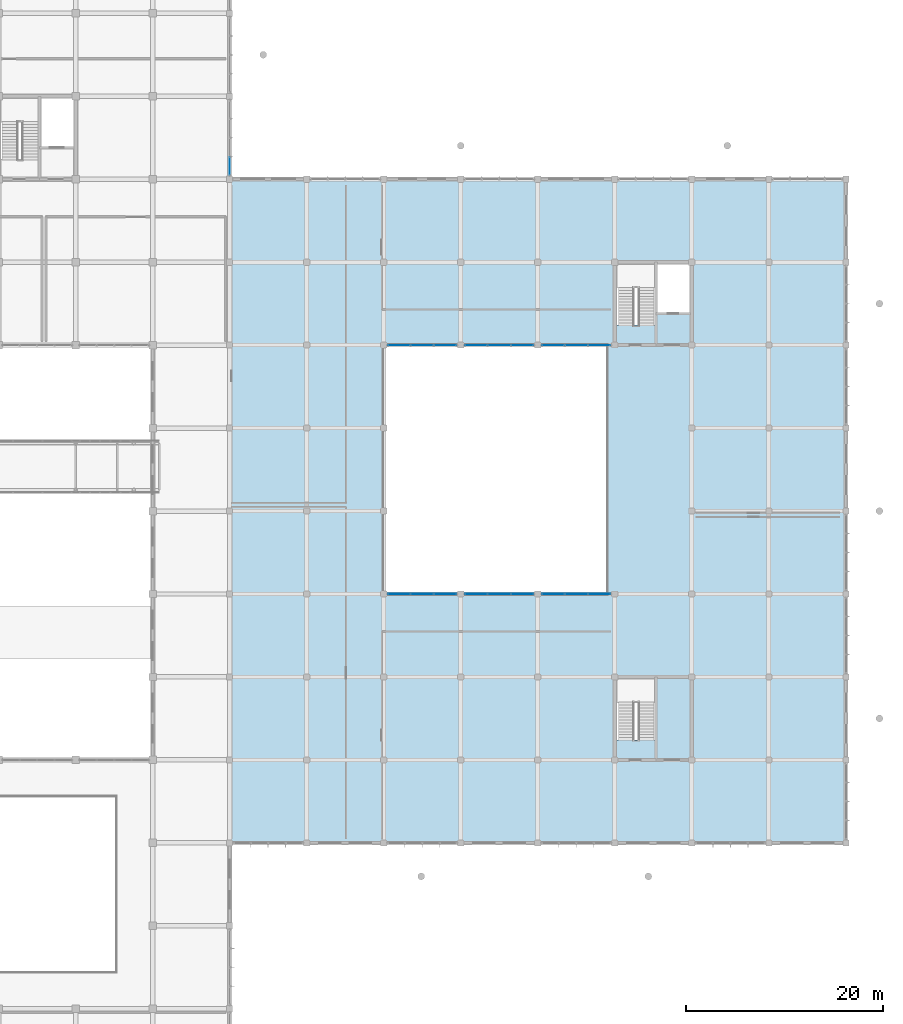
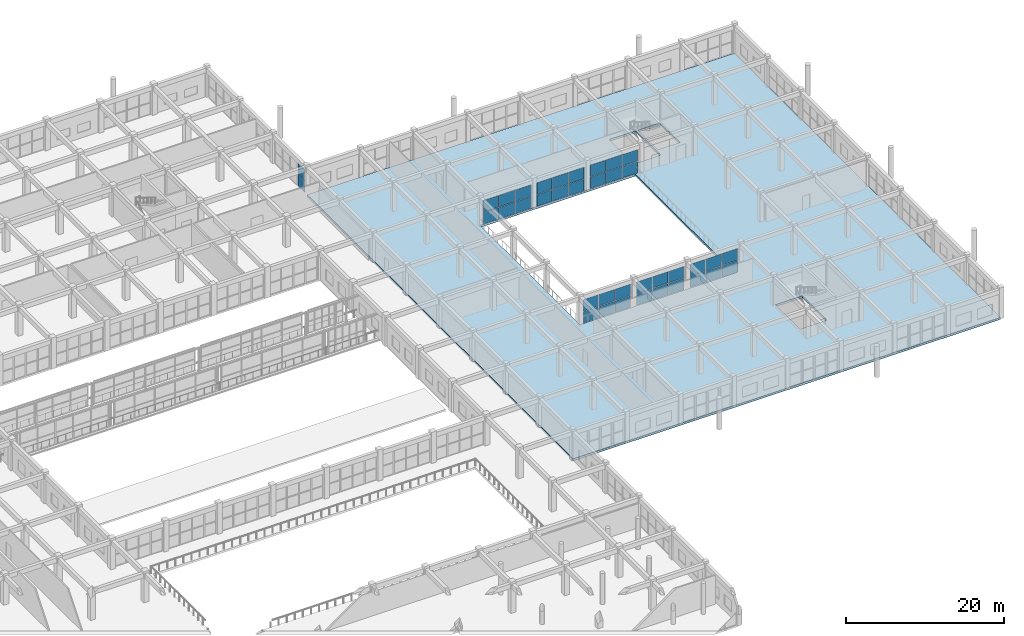
# One storey, part 142 of 167: 38 plates, 1 slab, 7 elements without a shape of their own.
"""IFC4 building model written with IfcOpenShell, lengths in metres."""

import ifcopenshell
import ifcopenshell.guid

model = None  # the IFC model being written
_history = None  # IfcOwnerHistory: only IFC2X3 demands one
_inside = {}  # id of a spatial element -> (the spatial element, [elements in it])
_under = {}  # id of a project, library or spatial element -> (it, [spatial elements below it])
_declared = {}  # id of a project -> (the project, [libraries it declares])
_typed = {}  # id of a type object -> (the type object, [elements of that type])
_made_of = {}  # id of a material, layer set ... -> (it, [elements and type objects made of it])


def new_model(schema):
    """Start an empty IFC model of exactly this schema.

    Asked for "IFC4X3", IfcOpenShell would pick the latest addendum, in which some entities
    have other attributes; the version numbers below select the first issue.
    IFC2X3 requires an IfcOwnerHistory on every rooted entity: one is made here for all.
    """
    global model, _history
    if schema == "IFC4X3":
        model = ifcopenshell.file(schema_version=(4, 3, 0, 0))
    else:
        model = ifcopenshell.file(schema=schema)
    _inside.clear()
    _under.clear()
    _declared.clear()
    _typed.clear()
    _made_of.clear()
    _history = None
    if model.schema == "IFC2X3":
        org = make("IfcOrganization", Name="unknown")
        user = make(
            "IfcPersonAndOrganization",
            ThePerson=make("IfcPerson", FamilyName="unknown"),
            TheOrganization=org,
        )
        app = make(
            "IfcApplication",
            ApplicationDeveloper=org,
            Version="unknown",
            ApplicationFullName="unknown",
            ApplicationIdentifier="unknown",
        )
        _history = make(
            "IfcOwnerHistory",
            OwningUser=user,
            OwningApplication=app,
            ChangeAction="ADDED",
            CreationDate=0,
        )
    return model


def make(cls, **values):
    """One entity of the class cls with the attributes given. An attribute that is None is left unset."""
    return model.create_entity(
        cls, **{name: value for name, value in values.items() if value is not None}
    )


def rooted(cls, **values):
    """An entity with a GlobalId (a new one), such as an element, a storey or a relation."""
    return make(cls, GlobalId=ifcopenshell.guid.new(), OwnerHistory=_history, **values)


def si_unit(unit_type, name, prefix=None):
    """IfcSIUnit, for example si_unit("LENGTHUNIT", "METRE", prefix="MILLI")."""
    return make("IfcSIUnit", UnitType=unit_type, Prefix=prefix, Name=name)


def assignment(units):
    """IfcUnitAssignment: the units of a project."""
    return None if units is None else make("IfcUnitAssignment", Units=units)


def point(xyz):
    """IfcCartesianPoint."""
    return None if xyz is None else make("IfcCartesianPoint", Coordinates=xyz)


def direction(xyz):
    """IfcDirection."""
    return None if xyz is None else make("IfcDirection", DirectionRatios=xyz)


def frame(location, z_axis=None, x_axis=None):
    """IfcAxis2Placement3D, a coordinate frame: its origin and axes. An axis left out is left unset."""
    return make(
        "IfcAxis2Placement3D",
        Location=point(location),
        Axis=direction(z_axis),
        RefDirection=direction(x_axis),
    )


def frame_2d(location, x_axis=None):
    """IfcAxis2Placement2D, a coordinate frame in the plane: its origin and x axis."""
    return make(
        "IfcAxis2Placement2D", Location=point(location), RefDirection=direction(x_axis)
    )


def origin():
    """The frame at (0, 0, 0) with its axes left unset."""
    return frame((0.0, 0.0, 0.0))


def origin_2d():
    """The frame at (0, 0) in the plane with its x axis left unset."""
    return frame_2d((0.0, 0.0))


def place(relative_to, where):
    """IfcLocalPlacement: puts the frame where relative to a parent placement (None: the world)."""
    return make(
        "IfcLocalPlacement", PlacementRelTo=relative_to, RelativePlacement=where
    )


def context(
    kind, dimensions, precision=None, world=None, true_north=None, identifier=None
):
    """IfcGeometricRepresentationContext, for example the 3D "Model" context."""
    return make(
        "IfcGeometricRepresentationContext",
        ContextIdentifier=identifier,
        ContextType=kind,
        CoordinateSpaceDimension=dimensions,
        Precision=precision,
        WorldCoordinateSystem=world,
        TrueNorth=true_north,
    )


def subcontext(parent, identifier, kind, view, scale=None):
    """IfcGeometricRepresentationSubContext, for example "Body" below "Model"."""
    return make(
        "IfcGeometricRepresentationSubContext",
        ContextIdentifier=identifier,
        ContextType=kind,
        ParentContext=parent,
        TargetScale=scale,
        TargetView=view,
    )


def project(units=None, contexts=None):
    """IfcProject with its units and contexts."""
    return rooted(
        "IfcProject",
        Name="project",
        RepresentationContexts=contexts,
        UnitsInContext=assignment(units),
    )


def spatial(cls, under=None, at=None, **own):
    """A site, building, storey or space (cls), placed at a placement, below another one or the project."""
    s = rooted(cls, ObjectPlacement=at, **own)
    if under is not None:
        _under.setdefault(under.id(), (under, []))[1].append(s)
    return s


def polyline(points):
    """IfcPolyline through the points."""
    return make("IfcPolyline", Points=[point(p) for p in points])


def profile(cls, at=None, kind="AREA", **sizes):
    """A parametric profile (cls). Its sizes go by their IFC names, for example OverallWidth=200.0."""
    return make(cls, ProfileType=kind, Position=at, **sizes)


def rectangle(**sizes):
    """IfcRectangleProfileDef."""
    return profile("IfcRectangleProfileDef", **sizes)


def outline(outer, holes=None, kind="AREA"):
    """IfcArbitraryClosedProfileDef: a profile drawn as a closed curve; with holes, ...WithVoids."""
    if holes is None:
        return make("IfcArbitraryClosedProfileDef", ProfileType=kind, OuterCurve=outer)
    return make(
        "IfcArbitraryProfileDefWithVoids",
        ProfileType=kind,
        OuterCurve=outer,
        InnerCurves=holes,
    )


def extrude(swept, where, along, depth):
    """IfcExtrudedAreaSolid: the profile swept, set in the frame where, extruded along a direction by depth."""
    return make(
        "IfcExtrudedAreaSolid",
        SweptArea=swept,
        Position=where,
        ExtrudedDirection=direction(along),
        Depth=depth,
    )


def shape(context_of_items, identifier, shape_type, items):
    """IfcShapeRepresentation: the items that make up one representation, for example the "Body"."""
    return make(
        "IfcShapeRepresentation",
        ContextOfItems=context_of_items,
        RepresentationIdentifier=identifier,
        RepresentationType=shape_type,
        Items=items,
    )


def material(Name=None, Category=None):
    """IfcMaterial."""
    return make("IfcMaterial", Name=Name, Category=Category)


def layer(
    of_material, thickness, ventilated=None, Name=None, Category=None, Priority=None
):
    """IfcMaterialLayer: one layer of a wall or slab, of a material (None: an air gap)."""
    return make(
        "IfcMaterialLayer",
        Material=of_material,
        LayerThickness=thickness,
        IsVentilated=ventilated,
        Name=Name,
        Category=Category,
        Priority=Priority,
    )


def layer_set(layers, Name=None):
    """IfcMaterialLayerSet."""
    return make("IfcMaterialLayerSet", MaterialLayers=layers, LayerSetName=Name)


def made_of(thing, what):
    """Note that an element or type object is made of a material, layer set ...; save() writes the relation."""
    if what is not None:
        _made_of.setdefault(what.id(), (what, []))[1].append(thing)
    return thing


def type_object(cls, material=None, **own):
    """A type object (cls), such as IfcWallType, which elements share."""
    return made_of(rooted(cls, **own), material)


def element(
    cls,
    number,
    at=None,
    inside=None,
    cuts=None,
    type_object=None,
    material=None,
    context=None,
    identifier="Body",
    shape_type=None,
    held_by="IfcProductDefinitionShape",
    body=None,
    shapes=None,
    **own,
):
    """One element of the class cls, such as IfcWall. Its Tag is "e" and its number.

    at: its placement. inside: the storey or other place that contains it. cuts: it is an
    opening in that element (IfcRelVoidsElement). A single representation is given by context,
    identifier, shape_type and body (its items); several are given by shapes. held_by: the class
    of the entity that holds the representations. save() writes the other relations.
    """
    e = rooted(cls, Tag="e%d" % number, ObjectPlacement=at, **own)
    if body is not None:
        shapes = [shape(context, identifier, shape_type, body)]
    if shapes is not None:
        e.Representation = make(held_by, Representations=shapes)
    if inside is not None:
        _inside.setdefault(inside.id(), (inside, []))[1].append(e)
    if cuts is not None:
        rooted(
            "IfcRelVoidsElement", RelatingBuildingElement=cuts, RelatedOpeningElement=e
        )
    if type_object is not None:
        _typed.setdefault(type_object.id(), (type_object, []))[1].append(e)
    return made_of(e, material)


def aggregate(whole, parts):
    """IfcRelAggregates: a whole, such as a stair, and the parts it consists of."""
    return rooted("IfcRelAggregates", RelatingObject=whole, RelatedObjects=parts)


def save(model, path):
    """Write the relations noted so far, then the file.

    IfcRelAggregates (storeys below a building ...), IfcRelContainedInSpatialStructure (elements
    in a storey), IfcRelDefinesByType, IfcRelAssociatesMaterial and IfcRelDeclares: one each for
    every whole, place, type object, material and project.
    """
    for whole, parts in _under.values():
        aggregate(whole, parts)
    for where, things in _inside.values():
        rooted(
            "IfcRelContainedInSpatialStructure",
            RelatedElements=things,
            RelatingStructure=where,
        )
    for kind, things in _typed.values():
        rooted("IfcRelDefinesByType", RelatedObjects=things, RelatingType=kind)
    for what, things in _made_of.values():
        rooted("IfcRelAssociatesMaterial", RelatedObjects=things, RelatingMaterial=what)
    for by, libraries in _declared.values():
        rooted("IfcRelDeclares", RelatingContext=by, RelatedDefinitions=libraries)
    model.write(path)


model = new_model("IFC4")

# Units and contexts
model_context = context("Model", 3, precision=1e-05, world=origin(), true_north=direction((0.0, 1.0)))
body_context = subcontext(model_context, "Body", "Model", "MODEL_VIEW")
ifc_project = project(units=[si_unit("LENGTHUNIT", "METRE"), si_unit("AREAUNIT", "SQUARE_METRE"), si_unit("VOLUMEUNIT", "CUBIC_METRE"), si_unit("PLANEANGLEUNIT", "RADIAN"), si_unit("MASSUNIT", "GRAM", prefix="KILO")], contexts=[model_context])

# Site, building, storey
site_placement = place(None, origin())
site = spatial("IfcSite", under=ifc_project, at=site_placement, CompositionType="ELEMENT")
building_placement = place(site_placement, origin())
building = spatial("IfcBuilding", under=site, at=building_placement, Name="Zizhar Promenade General Hospital", CompositionType="ELEMENT")
storey_placement = place(building_placement, frame((0.0, 0.0, 9.60009765625)))
storey = spatial("IfcBuildingStorey", under=building, at=storey_placement, Name="L02", CompositionType="ELEMENT", Elevation=9.60009765625)

# Curtain wall, plates
ifc_material_1 = material(Name="Anodised aluminium 6063-T6 and low-E glass", Category="aluminium")
ifc_layer_1 = layer(ifc_material_1, 0.159912109375)
ifc_layer_set_1 = layer_set([ifc_layer_1], Name="Anodised aluminium 6063-T6 and low-E glass")
curtain_wall_type_1 = type_object("IfcCurtainWallType", Name="CW-DT-MOD1", PredefinedType="NOTDEFINED", material=ifc_layer_set_1)
curtain_wall_1_placement = place(storey_placement, origin())
curtain_wall_1 = element("IfcCurtainWall", 1, at=curtain_wall_1_placement, inside=storey, type_object=curtain_wall_type_1, Name="Surgical East Glazed Curtain Wall L02-13", PredefinedType="NOTDEFINED")
ifc_material_2 = material(Name="Low-E solar-control glass", Category="glass")
ifc_layer_2 = layer(ifc_material_2, 0.031982421875)
ifc_layer_set_2 = layer_set([ifc_layer_2], Name="Low-E solar-control glass")
plate_type = type_object("IfcPlateType", Name="CWP-GLZ-32", PredefinedType="CURTAIN_PANEL", material=ifc_layer_set_2)
plate_1_placement = place(storey_placement, frame((132.60009765625, 110.5400390625, 0.06005859375), z_axis=(0.0, 0.0, 1.0), x_axis=(0.0, -1.0, 0.0)))
plate_1 = element("IfcPlate", 2, at=plate_1_placement, type_object=plate_type, Name="CW-07 panel 4.1", PredefinedType="CURTAIN_PANEL", context=body_context, shape_type="SweptSolid", body=[
    extrude(rectangle(XDim=1.800048828125, YDim=0.031982421875, at=origin_2d()), origin(), (0.0, 0.0, 1.0), 1.77490234375),
])
plate_2_placement = place(storey_placement, frame((132.60009765625, 110.5400390625, 1.89501953125), z_axis=(0.0, 0.0, 1.0), x_axis=(0.0, -1.0, 0.0)))
plate_2 = element("IfcPlate", 3, at=plate_2_placement, type_object=plate_type, Name="CW-07 panel 4.2", PredefinedType="CURTAIN_PANEL", context=body_context, shape_type="SweptSolid", body=[
    extrude(rectangle(XDim=1.800048828125, YDim=0.031982421875, at=origin_2d()), origin(), (0.0, 0.0, 1.0), 1.77490234375),
])
aggregate(curtain_wall_1, [plate_1, plate_2])

ifc_material_3 = material(Name="Anodised aluminium 6063-T6 and low-E glass", Category="aluminium")
ifc_layer_3 = layer(ifc_material_3, 0.159912109375)
ifc_layer_set_3 = layer_set([ifc_layer_3], Name="Anodised aluminium 6063-T6 and low-E glass")
curtain_wall_type_2 = type_object("IfcCurtainWallType", Name="CW-CLN-CRT", PredefinedType="NOTDEFINED", material=ifc_layer_set_3)
curtain_wall_2_placement = place(storey_placement, origin())
curtain_wall_2 = element("IfcCurtainWall", 4, at=curtain_wall_2_placement, inside=storey, type_object=curtain_wall_type_2, Name="East Light Court South Glazing L02-19", PredefinedType="NOTDEFINED")
plate_3_placement = place(storey_placement, frame((149.760009765625, 67.199951171875, 0.06005859375), z_axis=(0.0, 0.0, 1.0), x_axis=(1.0, 0.0, 0.0)))
plate_3 = element("IfcPlate", 5, at=plate_3_placement, type_object=plate_type, Name="CW-10 panel 1.1", PredefinedType="CURTAIN_PANEL", context=body_context, shape_type="SweptSolid", body=[
    extrude(rectangle(XDim=2.239990234375, YDim=0.031982421875, at=origin_2d()), origin(), (0.0, 0.0, 1.0), 1.77490234375),
])
plate_4_placement = place(storey_placement, frame((149.760009765625, 67.199951171875, 1.89501953125), z_axis=(0.0, 0.0, 1.0), x_axis=(1.0, 0.0, 0.0)))
plate_4 = element("IfcPlate", 6, at=plate_4_placement, type_object=plate_type, Name="CW-10 panel 1.2", PredefinedType="CURTAIN_PANEL", context=body_context, shape_type="SweptSolid", body=[
    extrude(rectangle(XDim=2.239990234375, YDim=0.031982421875, at=origin_2d()), origin(), (0.0, 0.0, 1.0), 1.77490234375),
])
plate_5_placement = place(storey_placement, frame((152.10009765625, 67.199951171875, 0.06005859375), z_axis=(0.0, 0.0, 1.0), x_axis=(1.0, 0.0, 0.0)))
plate_5 = element("IfcPlate", 7, at=plate_5_placement, type_object=plate_type, Name="CW-10 panel 2.1", PredefinedType="CURTAIN_PANEL", context=body_context, shape_type="SweptSolid", body=[
    extrude(rectangle(XDim=2.280029296875, YDim=0.031982421875, at=origin_2d()), origin(), (0.0, 0.0, 1.0), 1.77490234375),
])
plate_6_placement = place(storey_placement, frame((152.10009765625, 67.199951171875, 1.89501953125), z_axis=(0.0, 0.0, 1.0), x_axis=(1.0, 0.0, 0.0)))
plate_6 = element("IfcPlate", 8, at=plate_6_placement, type_object=plate_type, Name="CW-10 panel 2.2", PredefinedType="CURTAIN_PANEL", context=body_context, shape_type="SweptSolid", body=[
    extrude(rectangle(XDim=2.280029296875, YDim=0.031982421875, at=origin_2d()), origin(), (0.0, 0.0, 1.0), 1.77490234375),
])
plate_7_placement = place(storey_placement, frame((154.43994140625, 67.199951171875, 0.06005859375), z_axis=(0.0, 0.0, 1.0), x_axis=(1.0, 0.0, 0.0)))
plate_7 = element("IfcPlate", 9, at=plate_7_placement, type_object=plate_type, Name="CW-10 panel 3.1", PredefinedType="CURTAIN_PANEL", context=body_context, shape_type="SweptSolid", body=[
    extrude(rectangle(XDim=2.239990234375, YDim=0.031982421875, at=origin_2d()), origin(), (0.0, 0.0, 1.0), 1.77490234375),
])
plate_8_placement = place(storey_placement, frame((154.43994140625, 67.199951171875, 1.89501953125), z_axis=(0.0, 0.0, 1.0), x_axis=(1.0, 0.0, 0.0)))
plate_8 = element("IfcPlate", 10, at=plate_8_placement, type_object=plate_type, Name="CW-10 panel 3.2", PredefinedType="CURTAIN_PANEL", context=body_context, shape_type="SweptSolid", body=[
    extrude(rectangle(XDim=2.239990234375, YDim=0.031982421875, at=origin_2d()), origin(), (0.0, 0.0, 1.0), 1.77490234375),
])
aggregate(curtain_wall_2, [plate_3, plate_4, plate_5, plate_6, plate_7, plate_8])

curtain_wall_3_placement = place(storey_placement, origin())
curtain_wall_3 = element("IfcCurtainWall", 11, at=curtain_wall_3_placement, inside=storey, type_object=curtain_wall_type_2, Name="East Light Court North Glazing L02-19", PredefinedType="NOTDEFINED")
plate_9_placement = place(storey_placement, frame((154.43994140625, 92.39990234375, 0.06005859375), z_axis=(0.0, 0.0, 1.0), x_axis=(-1.0, 0.0, 0.0)))
plate_9 = element("IfcPlate", 12, at=plate_9_placement, type_object=plate_type, Name="CW-10 panel 1.1", PredefinedType="CURTAIN_PANEL", context=body_context, shape_type="SweptSolid", body=[
    extrude(rectangle(XDim=2.239990234375, YDim=0.031982421875, at=origin_2d()), origin(), (0.0, 0.0, 1.0), 1.77490234375),
])
plate_10_placement = place(storey_placement, frame((154.43994140625, 92.39990234375, 1.89501953125), z_axis=(0.0, 0.0, 1.0), x_axis=(-1.0, 0.0, 0.0)))
plate_10 = element("IfcPlate", 13, at=plate_10_placement, type_object=plate_type, Name="CW-10 panel 1.2", PredefinedType="CURTAIN_PANEL", context=body_context, shape_type="SweptSolid", body=[
    extrude(rectangle(XDim=2.239990234375, YDim=0.031982421875, at=origin_2d()), origin(), (0.0, 0.0, 1.0), 1.77490234375),
])
plate_11_placement = place(storey_placement, frame((152.10009765625, 92.39990234375, 0.06005859375), z_axis=(0.0, 0.0, 1.0), x_axis=(-1.0, 0.0, 0.0)))
plate_11 = element("IfcPlate", 14, at=plate_11_placement, type_object=plate_type, Name="CW-10 panel 2.1", PredefinedType="CURTAIN_PANEL", context=body_context, shape_type="SweptSolid", body=[
    extrude(rectangle(XDim=2.280029296875, YDim=0.031982421875, at=origin_2d()), origin(), (0.0, 0.0, 1.0), 1.77490234375),
])
plate_12_placement = place(storey_placement, frame((152.10009765625, 92.39990234375, 1.89501953125), z_axis=(0.0, 0.0, 1.0), x_axis=(-1.0, 0.0, 0.0)))
plate_12 = element("IfcPlate", 15, at=plate_12_placement, type_object=plate_type, Name="CW-10 panel 2.2", PredefinedType="CURTAIN_PANEL", context=body_context, shape_type="SweptSolid", body=[
    extrude(rectangle(XDim=2.280029296875, YDim=0.031982421875, at=origin_2d()), origin(), (0.0, 0.0, 1.0), 1.77490234375),
])
plate_13_placement = place(storey_placement, frame((149.760009765625, 92.39990234375, 0.06005859375), z_axis=(0.0, 0.0, 1.0), x_axis=(-1.0, 0.0, 0.0)))
plate_13 = element("IfcPlate", 16, at=plate_13_placement, type_object=plate_type, Name="CW-10 panel 3.1", PredefinedType="CURTAIN_PANEL", context=body_context, shape_type="SweptSolid", body=[
    extrude(rectangle(XDim=2.239990234375, YDim=0.031982421875, at=origin_2d()), origin(), (0.0, 0.0, 1.0), 1.77490234375),
])
plate_14_placement = place(storey_placement, frame((149.760009765625, 92.39990234375, 1.89501953125), z_axis=(0.0, 0.0, 1.0), x_axis=(-1.0, 0.0, 0.0)))
plate_14 = element("IfcPlate", 17, at=plate_14_placement, type_object=plate_type, Name="CW-10 panel 3.2", PredefinedType="CURTAIN_PANEL", context=body_context, shape_type="SweptSolid", body=[
    extrude(rectangle(XDim=2.239990234375, YDim=0.031982421875, at=origin_2d()), origin(), (0.0, 0.0, 1.0), 1.77490234375),
])
aggregate(curtain_wall_3, [plate_9, plate_10, plate_11, plate_12, plate_13, plate_14])

curtain_wall_4_placement = place(storey_placement, origin())
curtain_wall_4 = element("IfcCurtainWall", 18, at=curtain_wall_4_placement, inside=storey, type_object=curtain_wall_type_2, Name="East Light Court South Glazing L02-20", PredefinedType="NOTDEFINED")
plate_15_placement = place(storey_placement, frame((157.56005859375, 67.199951171875, 0.06005859375), z_axis=(0.0, 0.0, 1.0), x_axis=(1.0, 0.0, 0.0)))
plate_15 = element("IfcPlate", 19, at=plate_15_placement, type_object=plate_type, Name="CW-10 panel 1.1", PredefinedType="CURTAIN_PANEL", context=body_context, shape_type="SweptSolid", body=[
    extrude(rectangle(XDim=2.239990234375, YDim=0.031982421875, at=origin_2d()), origin(), (0.0, 0.0, 1.0), 1.77490234375),
])
plate_16_placement = place(storey_placement, frame((157.56005859375, 67.199951171875, 1.89501953125), z_axis=(0.0, 0.0, 1.0), x_axis=(1.0, 0.0, 0.0)))
plate_16 = element("IfcPlate", 20, at=plate_16_placement, type_object=plate_type, Name="CW-10 panel 1.2", PredefinedType="CURTAIN_PANEL", context=body_context, shape_type="SweptSolid", body=[
    extrude(rectangle(XDim=2.239990234375, YDim=0.031982421875, at=origin_2d()), origin(), (0.0, 0.0, 1.0), 1.77490234375),
])
plate_17_placement = place(storey_placement, frame((159.89990234375, 67.199951171875, 0.06005859375), z_axis=(0.0, 0.0, 1.0), x_axis=(1.0, 0.0, 0.0)))
plate_17 = element("IfcPlate", 21, at=plate_17_placement, type_object=plate_type, Name="CW-10 panel 2.1", PredefinedType="CURTAIN_PANEL", context=body_context, shape_type="SweptSolid", body=[
    extrude(rectangle(XDim=2.280029296875, YDim=0.031982421875, at=origin_2d()), origin(), (0.0, 0.0, 1.0), 1.77490234375),
])
plate_18_placement = place(storey_placement, frame((159.89990234375, 67.199951171875, 1.89501953125), z_axis=(0.0, 0.0, 1.0), x_axis=(1.0, 0.0, 0.0)))
plate_18 = element("IfcPlate", 22, at=plate_18_placement, type_object=plate_type, Name="CW-10 panel 2.2", PredefinedType="CURTAIN_PANEL", context=body_context, shape_type="SweptSolid", body=[
    extrude(rectangle(XDim=2.280029296875, YDim=0.031982421875, at=origin_2d()), origin(), (0.0, 0.0, 1.0), 1.77490234375),
])
plate_19_placement = place(storey_placement, frame((162.239990234375, 67.199951171875, 0.06005859375), z_axis=(0.0, 0.0, 1.0), x_axis=(1.0, 0.0, 0.0)))
plate_19 = element("IfcPlate", 23, at=plate_19_placement, type_object=plate_type, Name="CW-10 panel 3.1", PredefinedType="CURTAIN_PANEL", context=body_context, shape_type="SweptSolid", body=[
    extrude(rectangle(XDim=2.239990234375, YDim=0.031982421875, at=origin_2d()), origin(), (0.0, 0.0, 1.0), 1.77490234375),
])
plate_20_placement = place(storey_placement, frame((162.239990234375, 67.199951171875, 1.89501953125), z_axis=(0.0, 0.0, 1.0), x_axis=(1.0, 0.0, 0.0)))
plate_20 = element("IfcPlate", 24, at=plate_20_placement, type_object=plate_type, Name="CW-10 panel 3.2", PredefinedType="CURTAIN_PANEL", context=body_context, shape_type="SweptSolid", body=[
    extrude(rectangle(XDim=2.239990234375, YDim=0.031982421875, at=origin_2d()), origin(), (0.0, 0.0, 1.0), 1.77490234375),
])
aggregate(curtain_wall_4, [plate_15, plate_16, plate_17, plate_18, plate_19, plate_20])

curtain_wall_5_placement = place(storey_placement, origin())
curtain_wall_5 = element("IfcCurtainWall", 25, at=curtain_wall_5_placement, inside=storey, type_object=curtain_wall_type_2, Name="East Light Court North Glazing L02-20", PredefinedType="NOTDEFINED")
plate_21_placement = place(storey_placement, frame((162.239990234375, 92.39990234375, 0.06005859375), z_axis=(0.0, 0.0, 1.0), x_axis=(-1.0, 0.0, 0.0)))
plate_21 = element("IfcPlate", 26, at=plate_21_placement, type_object=plate_type, Name="CW-10 panel 1.1", PredefinedType="CURTAIN_PANEL", context=body_context, shape_type="SweptSolid", body=[
    extrude(rectangle(XDim=2.239990234375, YDim=0.031982421875, at=origin_2d()), origin(), (0.0, 0.0, 1.0), 1.77490234375),
])
plate_22_placement = place(storey_placement, frame((162.239990234375, 92.39990234375, 1.89501953125), z_axis=(0.0, 0.0, 1.0), x_axis=(-1.0, 0.0, 0.0)))
plate_22 = element("IfcPlate", 27, at=plate_22_placement, type_object=plate_type, Name="CW-10 panel 1.2", PredefinedType="CURTAIN_PANEL", context=body_context, shape_type="SweptSolid", body=[
    extrude(rectangle(XDim=2.239990234375, YDim=0.031982421875, at=origin_2d()), origin(), (0.0, 0.0, 1.0), 1.77490234375),
])
plate_23_placement = place(storey_placement, frame((159.89990234375, 92.39990234375, 0.06005859375), z_axis=(0.0, 0.0, 1.0), x_axis=(-1.0, 0.0, 0.0)))
plate_23 = element("IfcPlate", 28, at=plate_23_placement, type_object=plate_type, Name="CW-10 panel 2.1", PredefinedType="CURTAIN_PANEL", context=body_context, shape_type="SweptSolid", body=[
    extrude(rectangle(XDim=2.280029296875, YDim=0.031982421875, at=origin_2d()), origin(), (0.0, 0.0, 1.0), 1.77490234375),
])
plate_24_placement = place(storey_placement, frame((159.89990234375, 92.39990234375, 1.89501953125), z_axis=(0.0, 0.0, 1.0), x_axis=(-1.0, 0.0, 0.0)))
plate_24 = element("IfcPlate", 29, at=plate_24_placement, type_object=plate_type, Name="CW-10 panel 2.2", PredefinedType="CURTAIN_PANEL", context=body_context, shape_type="SweptSolid", body=[
    extrude(rectangle(XDim=2.280029296875, YDim=0.031982421875, at=origin_2d()), origin(), (0.0, 0.0, 1.0), 1.77490234375),
])
plate_25_placement = place(storey_placement, frame((157.56005859375, 92.39990234375, 0.06005859375), z_axis=(0.0, 0.0, 1.0), x_axis=(-1.0, 0.0, 0.0)))
plate_25 = element("IfcPlate", 30, at=plate_25_placement, type_object=plate_type, Name="CW-10 panel 3.1", PredefinedType="CURTAIN_PANEL", context=body_context, shape_type="SweptSolid", body=[
    extrude(rectangle(XDim=2.239990234375, YDim=0.031982421875, at=origin_2d()), origin(), (0.0, 0.0, 1.0), 1.77490234375),
])
plate_26_placement = place(storey_placement, frame((157.56005859375, 92.39990234375, 1.89501953125), z_axis=(0.0, 0.0, 1.0), x_axis=(-1.0, 0.0, 0.0)))
plate_26 = element("IfcPlate", 31, at=plate_26_placement, type_object=plate_type, Name="CW-10 panel 3.2", PredefinedType="CURTAIN_PANEL", context=body_context, shape_type="SweptSolid", body=[
    extrude(rectangle(XDim=2.239990234375, YDim=0.031982421875, at=origin_2d()), origin(), (0.0, 0.0, 1.0), 1.77490234375),
])
aggregate(curtain_wall_5, [plate_21, plate_22, plate_23, plate_24, plate_25, plate_26])

curtain_wall_6_placement = place(storey_placement, origin())
curtain_wall_6 = element("IfcCurtainWall", 32, at=curtain_wall_6_placement, inside=storey, type_object=curtain_wall_type_2, Name="East Light Court South Glazing L02-21", PredefinedType="NOTDEFINED")
plate_27_placement = place(storey_placement, frame((165.360107421875, 67.199951171875, 0.06005859375), z_axis=(0.0, 0.0, 1.0), x_axis=(1.0, 0.0, 0.0)))
plate_27 = element("IfcPlate", 33, at=plate_27_placement, type_object=plate_type, Name="CW-10 panel 1.1", PredefinedType="CURTAIN_PANEL", context=body_context, shape_type="SweptSolid", body=[
    extrude(rectangle(XDim=2.239990234375, YDim=0.031982421875, at=origin_2d()), origin(), (0.0, 0.0, 1.0), 1.77490234375),
])
plate_28_placement = place(storey_placement, frame((165.360107421875, 67.199951171875, 1.89501953125), z_axis=(0.0, 0.0, 1.0), x_axis=(1.0, 0.0, 0.0)))
plate_28 = element("IfcPlate", 34, at=plate_28_placement, type_object=plate_type, Name="CW-10 panel 1.2", PredefinedType="CURTAIN_PANEL", context=body_context, shape_type="SweptSolid", body=[
    extrude(rectangle(XDim=2.239990234375, YDim=0.031982421875, at=origin_2d()), origin(), (0.0, 0.0, 1.0), 1.77490234375),
])
plate_29_placement = place(storey_placement, frame((167.699951171875, 67.199951171875, 0.06005859375), z_axis=(0.0, 0.0, 1.0), x_axis=(1.0, 0.0, 0.0)))
plate_29 = element("IfcPlate", 35, at=plate_29_placement, type_object=plate_type, Name="CW-10 panel 2.1", PredefinedType="CURTAIN_PANEL", context=body_context, shape_type="SweptSolid", body=[
    extrude(rectangle(XDim=2.280029296875, YDim=0.031982421875, at=origin_2d()), origin(), (0.0, 0.0, 1.0), 1.77490234375),
])
plate_30_placement = place(storey_placement, frame((167.699951171875, 67.199951171875, 1.89501953125), z_axis=(0.0, 0.0, 1.0), x_axis=(1.0, 0.0, 0.0)))
plate_30 = element("IfcPlate", 36, at=plate_30_placement, type_object=plate_type, Name="CW-10 panel 2.2", PredefinedType="CURTAIN_PANEL", context=body_context, shape_type="SweptSolid", body=[
    extrude(rectangle(XDim=2.280029296875, YDim=0.031982421875, at=origin_2d()), origin(), (0.0, 0.0, 1.0), 1.77490234375),
])
plate_31_placement = place(storey_placement, frame((170.0400390625, 67.199951171875, 0.06005859375), z_axis=(0.0, 0.0, 1.0), x_axis=(1.0, 0.0, 0.0)))
plate_31 = element("IfcPlate", 37, at=plate_31_placement, type_object=plate_type, Name="CW-10 panel 3.1", PredefinedType="CURTAIN_PANEL", context=body_context, shape_type="SweptSolid", body=[
    extrude(rectangle(XDim=2.239990234375, YDim=0.031982421875, at=origin_2d()), origin(), (0.0, 0.0, 1.0), 1.77490234375),
])
plate_32_placement = place(storey_placement, frame((170.0400390625, 67.199951171875, 1.89501953125), z_axis=(0.0, 0.0, 1.0), x_axis=(1.0, 0.0, 0.0)))
plate_32 = element("IfcPlate", 38, at=plate_32_placement, type_object=plate_type, Name="CW-10 panel 3.2", PredefinedType="CURTAIN_PANEL", context=body_context, shape_type="SweptSolid", body=[
    extrude(rectangle(XDim=2.239990234375, YDim=0.031982421875, at=origin_2d()), origin(), (0.0, 0.0, 1.0), 1.77490234375),
])
aggregate(curtain_wall_6, [plate_27, plate_28, plate_29, plate_30, plate_31, plate_32])

curtain_wall_7_placement = place(storey_placement, origin())
curtain_wall_7 = element("IfcCurtainWall", 39, at=curtain_wall_7_placement, inside=storey, type_object=curtain_wall_type_2, Name="East Light Court North Glazing L02-21", PredefinedType="NOTDEFINED")
plate_33_placement = place(storey_placement, frame((170.0400390625, 92.39990234375, 0.06005859375), z_axis=(0.0, 0.0, 1.0), x_axis=(-1.0, 0.0, 0.0)))
plate_33 = element("IfcPlate", 40, at=plate_33_placement, type_object=plate_type, Name="CW-10 panel 1.1", PredefinedType="CURTAIN_PANEL", context=body_context, shape_type="SweptSolid", body=[
    extrude(rectangle(XDim=2.239990234375, YDim=0.031982421875, at=origin_2d()), origin(), (0.0, 0.0, 1.0), 1.77490234375),
])
plate_34_placement = place(storey_placement, frame((170.0400390625, 92.39990234375, 1.89501953125), z_axis=(0.0, 0.0, 1.0), x_axis=(-1.0, 0.0, 0.0)))
plate_34 = element("IfcPlate", 41, at=plate_34_placement, type_object=plate_type, Name="CW-10 panel 1.2", PredefinedType="CURTAIN_PANEL", context=body_context, shape_type="SweptSolid", body=[
    extrude(rectangle(XDim=2.239990234375, YDim=0.031982421875, at=origin_2d()), origin(), (0.0, 0.0, 1.0), 1.77490234375),
])
plate_35_placement = place(storey_placement, frame((167.699951171875, 92.39990234375, 0.06005859375), z_axis=(0.0, 0.0, 1.0), x_axis=(-1.0, 0.0, 0.0)))
plate_35 = element("IfcPlate", 42, at=plate_35_placement, type_object=plate_type, Name="CW-10 panel 2.1", PredefinedType="CURTAIN_PANEL", context=body_context, shape_type="SweptSolid", body=[
    extrude(rectangle(XDim=2.280029296875, YDim=0.031982421875, at=origin_2d()), origin(), (0.0, 0.0, 1.0), 1.77490234375),
])
plate_36_placement = place(storey_placement, frame((167.699951171875, 92.39990234375, 1.89501953125), z_axis=(0.0, 0.0, 1.0), x_axis=(-1.0, 0.0, 0.0)))
plate_36 = element("IfcPlate", 43, at=plate_36_placement, type_object=plate_type, Name="CW-10 panel 2.2", PredefinedType="CURTAIN_PANEL", context=body_context, shape_type="SweptSolid", body=[
    extrude(rectangle(XDim=2.280029296875, YDim=0.031982421875, at=origin_2d()), origin(), (0.0, 0.0, 1.0), 1.77490234375),
])
plate_37_placement = place(storey_placement, frame((165.360107421875, 92.39990234375, 0.06005859375), z_axis=(0.0, 0.0, 1.0), x_axis=(-1.0, 0.0, 0.0)))
plate_37 = element("IfcPlate", 44, at=plate_37_placement, type_object=plate_type, Name="CW-10 panel 3.1", PredefinedType="CURTAIN_PANEL", context=body_context, shape_type="SweptSolid", body=[
    extrude(rectangle(XDim=2.239990234375, YDim=0.031982421875, at=origin_2d()), origin(), (0.0, 0.0, 1.0), 1.77490234375),
])
plate_38_placement = place(storey_placement, frame((165.360107421875, 92.39990234375, 1.89501953125), z_axis=(0.0, 0.0, 1.0), x_axis=(-1.0, 0.0, 0.0)))
plate_38 = element("IfcPlate", 45, at=plate_38_placement, type_object=plate_type, Name="CW-10 panel 3.2", PredefinedType="CURTAIN_PANEL", context=body_context, shape_type="SweptSolid", body=[
    extrude(rectangle(XDim=2.239990234375, YDim=0.031982421875, at=origin_2d()), origin(), (0.0, 0.0, 1.0), 1.77490234375),
])
aggregate(curtain_wall_7, [plate_33, plate_34, plate_35, plate_36, plate_37, plate_38])

# Slab
ifc_material_4 = material(Name="Concrete C35/45", Category="concrete")
ifc_layer_4 = layer(ifc_material_4, 0.320068359375)
ifc_layer_set_4 = layer_set([ifc_layer_4], Name="Concrete C35/45")
slab_type = type_object("IfcSlabType", Name="SLB-FLR-320", PredefinedType="FLOOR", material=ifc_layer_set_4)
slab_placement = place(storey_placement, frame((0.0, 0.0, -0.320068359375)))
element("IfcSlab", 46, at=slab_placement, inside=storey, type_object=slab_type, Name="Level L02 Outpatient Wing Floor Slab", PredefinedType="FLOOR", context=body_context, shape_type="SweptSolid", body=[
    extrude(outline(polyline([(132.64990234375, 42.0), (195.0, 42.0), (195.0, 109.199951171875), (132.64990234375, 109.199951171875), (132.64990234375, 42.0)]), holes=[polyline([(148.199951171875, 67.199951171875), (148.199951171875, 92.39990234375), (170.800048828125, 92.39990234375), (170.800048828125, 67.199951171875), (148.199951171875, 67.199951171875)]), polyline([(171.780029296875, 94.429931640625), (171.780029296875, 100.6201171875), (175.679931640625, 100.6201171875), (175.679931640625, 94.429931640625), (171.780029296875, 94.429931640625)]), polyline([(175.949951171875, 95.6201171875), (175.949951171875, 100.580078125), (179.179931640625, 100.580078125), (179.179931640625, 95.6201171875), (175.949951171875, 95.6201171875)]), polyline([(171.780029296875, 52.429931640625), (171.780029296875, 58.6201171875), (175.679931640625, 58.6201171875), (175.679931640625, 52.429931640625), (171.780029296875, 52.429931640625)])]), origin(), (0.0, 0.0, 1.0), 0.320068359375),
])

save(model, "model.ifc")
